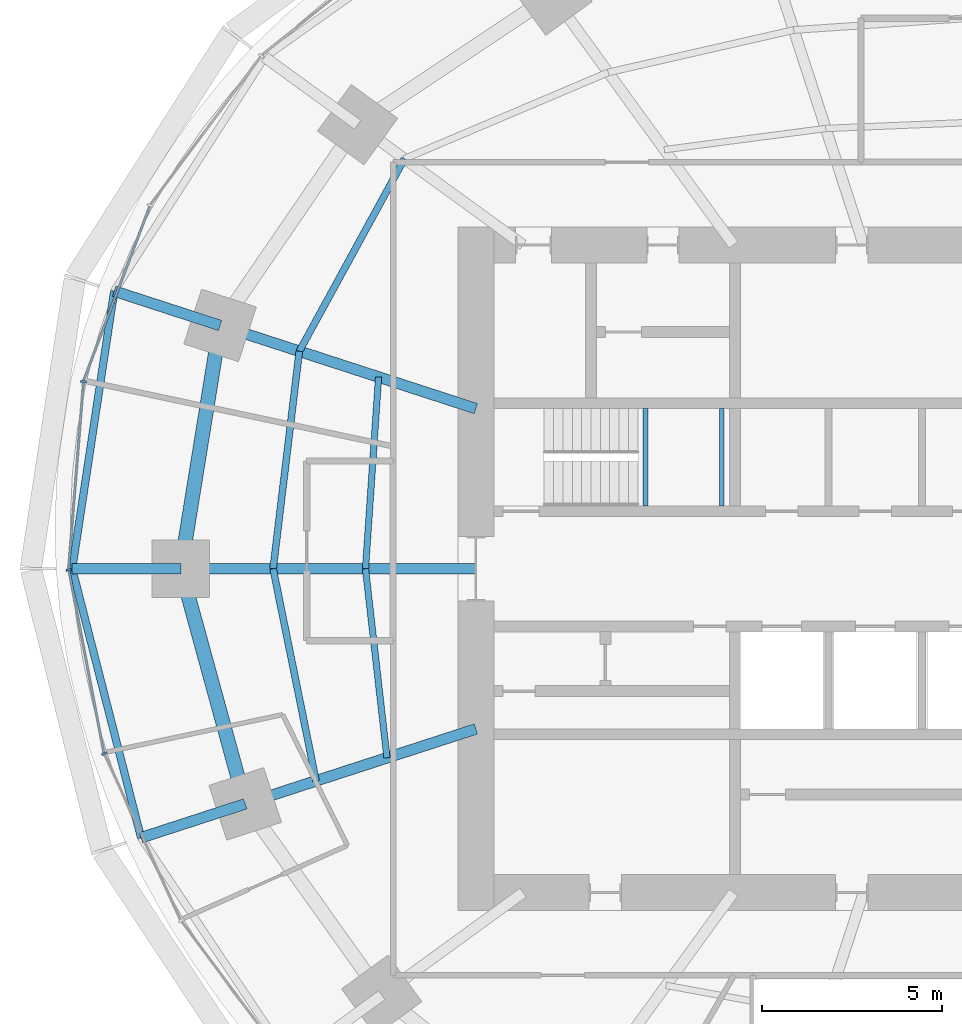
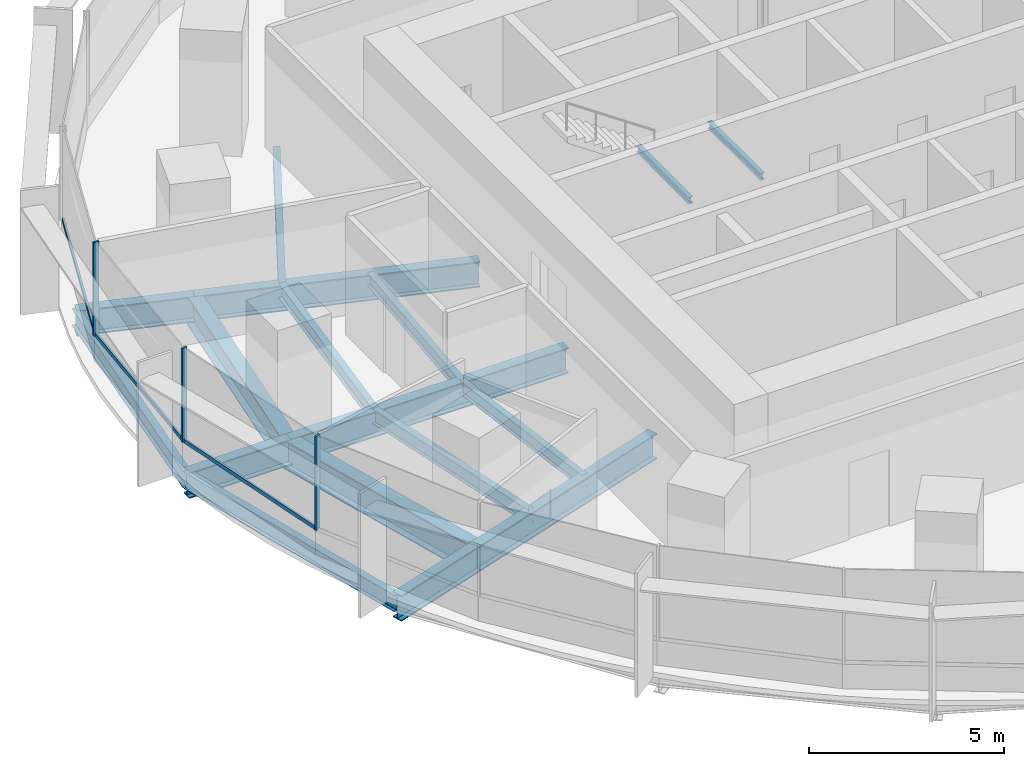
# One storey, part 4 of 14: 17 beams, 6 members, 2 elements without a shape of their own.
"""IFC4 building model written with IfcOpenShell, lengths in metres."""

from ifc_helpers import new_model, si_unit, direction, frame, origin, origin_2d, place, context, subcontext, project, spatial, rectangle, i_section, extrude, material, material_profile, profile_set, type_object, element, aggregate, save


model = new_model("IFC4")

# Units and contexts
model_context = context("Model", 3, precision=1e-05, world=origin(), true_north=direction((0.0, 1.0)))
body_context = subcontext(model_context, "Body", "Model", "MODEL_VIEW")
ifc_project = project(units=[si_unit("LENGTHUNIT", "METRE"), si_unit("AREAUNIT", "SQUARE_METRE"), si_unit("VOLUMEUNIT", "CUBIC_METRE"), si_unit("PLANEANGLEUNIT", "RADIAN"), si_unit("MASSUNIT", "GRAM", prefix="KILO")], contexts=[model_context])

# Site, building, storey
site_placement = place(None, origin())
site = spatial("IfcSite", under=ifc_project, at=site_placement, CompositionType="ELEMENT")
building_placement = place(site_placement, origin())
building = spatial("IfcBuilding", under=site, at=building_placement, Name="Marramba Exchange Tower", CompositionType="ELEMENT")
storey_placement = place(building_placement, frame((0.0, 0.0, 115.800048828125)))
storey = spatial("IfcBuildingStorey", under=building, at=storey_placement, Name="L27", CompositionType="ELEMENT", Elevation=115.800048828125)

# Beams
ifc_material_1 = material(Name="Steel AS/NZS 3679.2 grade 300", Category="steel")
ifc_material_profile_1 = material_profile(ifc_material_1, i_section(OverallWidth=0.300048828125, OverallDepth=0.800048828125, WebThickness=0.013916015625, FlangeThickness=0.031982421875, at=origin_2d()), Name="800WB192")
ifc_profile_set_1 = profile_set([ifc_material_profile_1], Name="Steel AS/NZS 3679.2 grade 300")
beam_type_1 = type_object("IfcBeamType", Name="Cantilever girder 800WB192", PredefinedType="BEAM", material=ifc_profile_set_1)
beam_1_placement = place(storey_placement, frame((-20.808349609375, 6.760986328125, -0.56005859375), z_axis=(-0.95104799017, 0.309043233858, 0.0), x_axis=(-0.309043233858, -0.95104799017, 0.0)))
element("IfcBeam", 1, at=beam_1_placement, inside=storey, type_object=beam_type_1, Name="Cantilever girder L27 TC10", PredefinedType="BEAM", context=body_context, shape_type="SweptSolid", body=[
    extrude(i_section(OverallWidth=0.300048828125, OverallDepth=0.800048828125, WebThickness=0.013916015625, FlangeThickness=0.031982421875, at=origin_2d()), origin(), (0.0, 0.0, 1.0), 3.0927734375),
])
beam_2_placement = place(storey_placement, frame((-21.89990234375, 0.0, -0.56005859375), z_axis=(-1.0, 0.0, 0.0), x_axis=(0.0, -1.0, 0.0)))
element("IfcBeam", 2, at=beam_2_placement, inside=storey, type_object=beam_type_1, Name="Cantilever girder L27 TC11", PredefinedType="BEAM", context=body_context, shape_type="SweptSolid", body=[
    extrude(i_section(OverallWidth=0.300048828125, OverallDepth=0.800048828125, WebThickness=0.013916015625, FlangeThickness=0.031982421875, at=origin_2d()), origin(), (0.0, 0.0, 1.0), 3.01806640625),
])
beam_3_placement = place(storey_placement, frame((-20.109375, -6.533935546875, -0.56005859375), z_axis=(-0.951070617775, -0.308973591113, 0.0), x_axis=(0.308973591113, -0.951070617775, 0.0)))
element("IfcBeam", 3, at=beam_3_placement, inside=storey, type_object=beam_type_1, Name="Cantilever girder L27 TC12", PredefinedType="BEAM", context=body_context, shape_type="SweptSolid", body=[
    extrude(i_section(OverallWidth=0.300048828125, OverallDepth=0.800048828125, WebThickness=0.013916015625, FlangeThickness=0.031982421875, at=origin_2d()), origin(), (0.0, 0.0, 1.0), 3.04296875),
])
ifc_material_2 = material(Name="Steel AS/NZS 3679.1 grade 300", Category="steel")
ifc_material_profile_2 = material_profile(ifc_material_2, i_section(OverallWidth=0.177978515625, OverallDepth=0.406005859375, WebThickness=0.0078125, FlangeThickness=0.0126953125, FilletRadius=0.011474609375, at=origin_2d()), Name="410UB59.7")
ifc_profile_set_2 = profile_set([ifc_material_profile_2], Name="Steel AS/NZS 3679.1 grade 300")
beam_type_2 = type_object("IfcBeamType", Name="Floor joist 410UB59.7", PredefinedType="JOIST", material=ifc_profile_set_2)
beam_4_placement = place(storey_placement, frame((-16.40283203125, 5.32958984375, -0.363037109375), z_axis=(-0.068096259546, -0.99767875563, 0.0), x_axis=(0.99767875563, -0.068096259546, 0.0)))
element("IfcBeam", 4, at=beam_4_placement, inside=storey, type_object=beam_type_2, Name="Joist L27 bay 10 row 1", PredefinedType="JOIST", context=body_context, shape_type="SweptSolid", body=[
    extrude(i_section(OverallWidth=0.177978515625, OverallDepth=0.406005859375, WebThickness=0.0078125, FlangeThickness=0.0126953125, FilletRadius=0.011474609375, at=origin_2d()), origin(), (0.0, 0.0, 1.0), 5.342041015625),
])
beam_5_placement = place(storey_placement, frame((-16.7666015625, 0.0, -0.363037109375), z_axis=(0.112888968594, -0.993607609054, 0.0), x_axis=(0.993607609054, 0.112888968594, 0.0)))
element("IfcBeam", 5, at=beam_5_placement, inside=storey, type_object=beam_type_2, Name="Joist L27 bay 11 row 1", PredefinedType="JOIST", context=body_context, shape_type="SweptSolid", body=[
    extrude(i_section(OverallWidth=0.177978515625, OverallDepth=0.406005859375, WebThickness=0.0078125, FlangeThickness=0.0126953125, FilletRadius=0.011474609375, at=origin_2d()), origin(), (0.0, 0.0, 1.0), 5.28759765625),
])
ifc_material_profile_3 = material_profile(ifc_material_2, i_section(OverallWidth=0.18994140625, OverallDepth=0.4541015625, WebThickness=0.008544921875, FlangeThickness=0.0126953125, FilletRadius=0.011474609375, at=origin_2d()), Name="460UB67.1")
ifc_profile_set_3 = profile_set([ifc_material_profile_3], Name="Steel AS/NZS 3679.1 grade 300")
beam_type_3 = type_object("IfcBeamType", Name="Floor joist 460UB67.1", PredefinedType="JOIST", material=ifc_profile_set_3)
beam_6_placement = place(storey_placement, frame((-15.682373046875, 11.393798828125, -0.386962890625), z_axis=(-0.479584443791, -0.877495732909, 0.0), x_axis=(0.877495732909, -0.479584443791, 0.0)))
element("IfcBeam", 6, at=beam_6_placement, inside=storey, type_object=beam_type_3, Name="Joist L27 bay 09 row 2", PredefinedType="JOIST", context=body_context, shape_type="SweptSolid", body=[
    extrude(i_section(OverallWidth=0.18994140625, OverallDepth=0.4541015625, WebThickness=0.008544921875, FlangeThickness=0.0126953125, FilletRadius=0.011474609375, at=origin_2d()), origin(), (0.0, 0.0, 1.0), 6.094970703125),
])
beam_7_placement = place(storey_placement, frame((-18.60546875, 6.04541015625, -0.386962890625), z_axis=(-0.119523078538, -0.992831422597, 0.0), x_axis=(0.992831422597, -0.119523078538, 0.0)))
element("IfcBeam", 7, at=beam_7_placement, inside=storey, type_object=beam_type_3, Name="Joist L27 bay 10 row 2", PredefinedType="JOIST", context=body_context, shape_type="SweptSolid", body=[
    extrude(i_section(OverallWidth=0.18994140625, OverallDepth=0.4541015625, WebThickness=0.008544921875, FlangeThickness=0.0126953125, FilletRadius=0.011474609375, at=origin_2d()), origin(), (0.0, 0.0, 1.0), 6.089111328125),
])
beam_8_placement = place(storey_placement, frame((-19.333251953125, 0.0, -0.386962890625), z_axis=(0.198489047047, -0.980103105904, 0.0), x_axis=(0.980103105904, 0.198489047047, 0.0)))
element("IfcBeam", 8, at=beam_8_placement, inside=storey, type_object=beam_type_3, Name="Joist L27 bay 11 row 2", PredefinedType="JOIST", context=body_context, shape_type="SweptSolid", body=[
    extrude(i_section(OverallWidth=0.18994140625, OverallDepth=0.4541015625, WebThickness=0.008544921875, FlangeThickness=0.0126953125, FilletRadius=0.011474609375, at=origin_2d()), origin(), (0.0, 0.0, 1.0), 6.013427734375),
])

# Curtain wall, member
ifc_material_3 = material(Name="Aluminium framing, bronze anodised", Category="aluminium")
curtain_wall_type = type_object("IfcCurtainWallType", Name="Office ribbon curtain wall", PredefinedType="USERDEFINED", material=ifc_material_3)
curtain_wall_1_placement = place(storey_placement, origin())
curtain_wall_1 = element("IfcCurtainWall", 9, at=curtain_wall_1_placement, inside=storey, type_object=curtain_wall_type, Name="Curtain wall CW4 L27 F11-F15", ObjectType="RIBBON CURTAIN WALL", PredefinedType="USERDEFINED")
ifc_material_4 = material(Name="Aluminium mullion, bronze anodised", Category="aluminium")
ifc_material_profile_4 = material_profile(ifc_material_4, rectangle(XDim=0.159912109375, YDim=0.06005859375, at=origin_2d()), Name="CW4 mullion 60x160")
ifc_profile_set_4 = profile_set([ifc_material_profile_4], Name="Aluminium mullion, bronze anodised")
member_type_1 = type_object("IfcMemberType", Name="Office ribbon curtain wall mullion", PredefinedType="MULLION", material=ifc_profile_set_4)
member_1_placement = place(storey_placement, frame((-24.603515625, 5.19921875, 0.800048828125), z_axis=(0.0, 0.0, 1.0), x_axis=(0.996838079455, -0.079459696383, 0.0)))
member_1 = element("IfcMember", 10, at=member_1_placement, type_object=member_type_1, Name="CW4 mullion 1", PredefinedType="MULLION", context=body_context, shape_type="SweptSolid", body=[
    extrude(rectangle(XDim=0.159912109375, YDim=0.06005859375, at=origin_2d()), origin(), (0.0, 0.0, 1.0), 2.93994140625),
])

# Curtain wall, members
curtain_wall_2_placement = place(storey_placement, origin())
curtain_wall_2 = element("IfcCurtainWall", 11, at=curtain_wall_2_placement, inside=storey, type_object=curtain_wall_type, Name="Curtain wall CW4 L27 F16-F20", ObjectType="RIBBON CURTAIN WALL", PredefinedType="USERDEFINED")
member_2_placement = place(storey_placement, frame((-25.012451171875, -0.029541015625, 0.800048828125), z_axis=(0.0, 0.0, 1.0), x_axis=(0.982125509078, 0.18822721487, 0.0)))
member_2 = element("IfcMember", 12, at=member_2_placement, type_object=member_type_1, Name="CW4 mullion 1", PredefinedType="MULLION", context=body_context, shape_type="SweptSolid", body=[
    extrude(rectangle(XDim=0.159912109375, YDim=0.06005859375, at=origin_2d()), origin(), (0.0, 0.0, 1.0), 2.93994140625),
])
member_3_placement = place(storey_placement, frame((-24.026123046875, -5.136962890625, 0.800048828125), z_axis=(0.0, 0.0, 1.0), x_axis=(0.909026713177, 0.416737848929, 0.0)))
member_3 = element("IfcMember", 13, at=member_3_placement, type_object=member_type_1, Name="CW4 mullion 1", PredefinedType="MULLION", context=body_context, shape_type="SweptSolid", body=[
    extrude(rectangle(XDim=0.159912109375, YDim=0.06005859375, at=origin_2d()), origin(), (0.0, 0.0, 1.0), 2.93994140625),
])

# Member
ifc_material_5 = material(Name="Aluminium transom, bronze anodised", Category="aluminium")
ifc_material_profile_5 = material_profile(ifc_material_5, rectangle(XDim=0.06005859375, YDim=0.1201171875, at=origin_2d()), Name="CW4 transom 60x120")
ifc_profile_set_5 = profile_set([ifc_material_profile_5], Name="Aluminium transom, bronze anodised")
member_type_2 = type_object("IfcMemberType", Name="Office ribbon curtain wall transom", PredefinedType="USERDEFINED", material=ifc_profile_set_5)
member_4_placement = place(storey_placement, frame((-22.763916015625, 10.069580078125, 0.829833984375), z_axis=(-0.354851822252, -0.934922555212, 0.0), x_axis=(0.934922555212, -0.354851822252, 0.0)))
member_4 = element("IfcMember", 14, at=member_4_placement, type_object=member_type_2, Name="CW4 sill transom", ObjectType="TRANSOM", PredefinedType="USERDEFINED", context=body_context, shape_type="SweptSolid", body=[
    extrude(rectangle(XDim=0.06005859375, YDim=0.1201171875, at=origin_2d()), origin(), (0.0, 0.0, 1.0), 5.17724609375),
])

member_5_placement = place(storey_placement, frame((-24.60595703125, 5.16943359375, 0.829833984375), z_axis=(-0.07946828762, -0.996837394595, 0.0), x_axis=(0.996837394595, -0.07946828762, 0.0)))
member_5 = element("IfcMember", 15, at=member_5_placement, type_object=member_type_2, Name="CW4 sill transom", ObjectType="TRANSOM", PredefinedType="USERDEFINED", context=body_context, shape_type="SweptSolid", body=[
    extrude(rectangle(XDim=0.06005859375, YDim=0.1201171875, at=origin_2d()), origin(), (0.0, 0.0, 1.0), 5.185791015625),
])

aggregate(curtain_wall_1, [member_4, member_1, member_5])

member_6_placement = place(storey_placement, frame((-25.006591796875, -0.058837890625, 0.829833984375), z_axis=(0.188185293992, -0.982133542409, 0.0), x_axis=(0.982133542409, 0.188185293992, 0.0)))
member_6 = element("IfcMember", 16, at=member_6_placement, type_object=member_type_2, Name="CW4 sill transom", ObjectType="TRANSOM", PredefinedType="USERDEFINED", context=body_context, shape_type="SweptSolid", body=[
    extrude(rectangle(XDim=0.06005859375, YDim=0.1201171875, at=origin_2d()), origin(), (0.0, 0.0, 1.0), 5.142578125),
])

aggregate(curtain_wall_2, [member_2, member_6, member_3])

# Beams
ifc_material_profile_6 = material_profile(ifc_material_1, i_section(OverallWidth=0.300048828125, OverallDepth=0.800048828125, WebThickness=0.013916015625, FlangeThickness=0.031982421875, at=origin_2d()), Name="800WB192")
ifc_profile_set_6 = profile_set([ifc_material_profile_6], Name="Steel AS/NZS 3679.2 grade 300")
beam_type_4 = type_object("IfcBeamType", Name="Radial girder 800WB192", PredefinedType="BEAM", material=ifc_profile_set_6)
beam_9_placement = place(storey_placement, frame((-13.699951171875, 4.451416015625, -0.56005859375), z_axis=(-0.951059990189, 0.309006302624, 0.0), x_axis=(-0.309006302624, -0.951059990189, 0.0)))
element("IfcBeam", 17, at=beam_9_placement, inside=storey, type_object=beam_type_4, Name="Radial girder L27 TC10", PredefinedType="BEAM", context=body_context, shape_type="SweptSolid", body=[
    extrude(i_section(OverallWidth=0.300048828125, OverallDepth=0.800048828125, WebThickness=0.013916015625, FlangeThickness=0.031982421875, at=origin_2d()), origin(), (0.0, 0.0, 1.0), 7.47412109375),
])
beam_10_placement = place(storey_placement, frame((-13.699951171875, 0.0, -0.56005859375), z_axis=(-1.0, 0.0, 0.0), x_axis=(0.0, -1.0, 0.0)))
element("IfcBeam", 18, at=beam_10_placement, inside=storey, type_object=beam_type_4, Name="Radial girder L27 TC11", PredefinedType="BEAM", context=body_context, shape_type="SweptSolid", body=[
    extrude(i_section(OverallWidth=0.300048828125, OverallDepth=0.800048828125, WebThickness=0.013916015625, FlangeThickness=0.031982421875, at=origin_2d()), origin(), (0.0, 0.0, 1.0), 8.199951171875),
])
beam_11_placement = place(storey_placement, frame((-13.699951171875, -4.451416015625, -0.56005859375), z_axis=(-0.951057759669, -0.309013167637, 0.0), x_axis=(0.309013167637, -0.951057759669, 0.0)))
element("IfcBeam", 19, at=beam_11_placement, inside=storey, type_object=beam_type_4, Name="Radial girder L27 TC12", PredefinedType="BEAM", context=body_context, shape_type="SweptSolid", body=[
    extrude(i_section(OverallWidth=0.300048828125, OverallDepth=0.800048828125, WebThickness=0.013916015625, FlangeThickness=0.031982421875, at=origin_2d()), origin(), (0.0, 0.0, 1.0), 6.7392578125),
])
ifc_material_profile_7 = material_profile(ifc_material_1, i_section(OverallWidth=0.39990234375, OverallDepth=0.89990234375, WebThickness=0.01611328125, FlangeThickness=0.031982421875, at=origin_2d()), Name="900WB282")
ifc_profile_set_7 = profile_set([ifc_material_profile_7], Name="Steel AS/NZS 3679.2 grade 300")
beam_type_5 = type_object("IfcBeamType", Name="Ring beam 900WB282", PredefinedType="SPANDREL", material=ifc_profile_set_7)
beam_12_placement = place(storey_placement, frame((-20.808349609375, 6.760986328125, -0.610107421875), z_axis=(-0.159384865399, -0.987216523708, 0.0), x_axis=(0.987216523708, -0.159384865399, 0.0)))
element("IfcBeam", 20, at=beam_12_placement, inside=storey, type_object=beam_type_5, Name="Ring beam L27 TC10-TC11", PredefinedType="SPANDREL", context=body_context, shape_type="SweptSolid", body=[
    extrude(i_section(OverallWidth=0.39990234375, OverallDepth=0.89990234375, WebThickness=0.01611328125, FlangeThickness=0.031982421875, at=origin_2d()), origin(), (0.0, 0.0, 1.0), 6.8486328125),
])
beam_13_placement = place(storey_placement, frame((-21.89990234375, 0.0, -0.610107421875), z_axis=(0.264291166956, -0.964442937176, 0.0), x_axis=(0.964442937176, 0.264291166956, 0.0)))
element("IfcBeam", 21, at=beam_13_placement, inside=storey, type_object=beam_type_5, Name="Ring beam L27 TC11-TC12", PredefinedType="SPANDREL", context=body_context, shape_type="SweptSolid", body=[
    extrude(i_section(OverallWidth=0.39990234375, OverallDepth=0.89990234375, WebThickness=0.01611328125, FlangeThickness=0.031982421875, at=origin_2d()), origin(), (0.0, 0.0, 1.0), 6.77490234375),
])
ifc_material_profile_8 = material_profile(ifc_material_2, i_section(OverallWidth=0.208984375, OverallDepth=0.528076171875, WebThickness=0.009521484375, FlangeThickness=0.01318359375, FilletRadius=0.013916015625, at=origin_2d()), Name="530UB82.0")
ifc_profile_set_8 = profile_set([ifc_material_profile_8], Name="Steel AS/NZS 3679.1 grade 300")
beam_type_6 = type_object("IfcBeamType", Name="Slab edge beam 530UB82.0", PredefinedType="SPANDREL", material=ifc_profile_set_8)
beam_14_placement = place(storey_placement, frame((-23.749755859375, 7.716796875, -0.424072265625), z_axis=(-0.149680281727, -0.988734450326, 0.0), x_axis=(0.988734450326, -0.149680281727, 0.0)))
element("IfcBeam", 22, at=beam_14_placement, inside=storey, type_object=beam_type_6, Name="Slab edge beam L27 TC10-TC11", PredefinedType="SPANDREL", context=body_context, shape_type="SweptSolid", body=[
    extrude(i_section(OverallWidth=0.208984375, OverallDepth=0.528076171875, WebThickness=0.009521484375, FlangeThickness=0.01318359375, FilletRadius=0.013916015625, at=origin_2d()), origin(), (0.0, 0.0, 1.0), 7.8046875),
])
beam_15_placement = place(storey_placement, frame((-24.91796875, 0.0, -0.424072265625), z_axis=(0.248145427917, -0.968722791413, 0.0), x_axis=(0.968722791413, 0.248145427917, 0.0)))
element("IfcBeam", 23, at=beam_15_placement, inside=storey, type_object=beam_type_6, Name="Slab edge beam L27 TC11-TC12", PredefinedType="SPANDREL", context=body_context, shape_type="SweptSolid", body=[
    extrude(i_section(OverallWidth=0.208984375, OverallDepth=0.528076171875, WebThickness=0.009521484375, FlangeThickness=0.01318359375, FilletRadius=0.013916015625, at=origin_2d()), origin(), (0.0, 0.0, 1.0), 7.71533203125),
])
ifc_material_profile_9 = material_profile(ifc_material_2, i_section(OverallWidth=0.133056640625, OverallDepth=0.202880859375, WebThickness=0.005859375, FlangeThickness=0.0078125, FilletRadius=0.0087890625, at=origin_2d()), Name="200UB25.4")
ifc_profile_set_9 = profile_set([ifc_material_profile_9], Name="Steel AS/NZS 3679.1 grade 300")
beam_type_7 = type_object("IfcBeamType", Name="Stair landing beam 200UB25.4", PredefinedType="BEAM", material=ifc_profile_set_9)
for number, where, z_axis, x_axis, name in (
    (24, (-8.9833984375, 1.75, 1.6484375), (0.0, 1.0, 0.0), (-1.0, 0.0, 0.0), "Stair landing beam SLB1 ST1 L27 1"),
    (25, (-6.866455078125, 1.75, 1.6484375), (0.0, 1.0, 0.0), (-1.0, 0.0, 0.0), "Stair landing beam SLB1 ST1 L27 2"),
):
    element("IfcBeam", number, at=place(storey_placement, frame(where, z_axis=z_axis, x_axis=x_axis)), inside=storey, type_object=beam_type_7, Name=name, PredefinedType="BEAM", context=body_context, shape_type="SweptSolid", body=[
        extrude(i_section(OverallWidth=0.133056640625, OverallDepth=0.202880859375, WebThickness=0.005859375, FlangeThickness=0.0078125, FilletRadius=0.0087890625, at=origin_2d()), origin(), (0.0, 0.0, 1.0), 2.699951171875),
    ])

save(model, "model.ifc")
